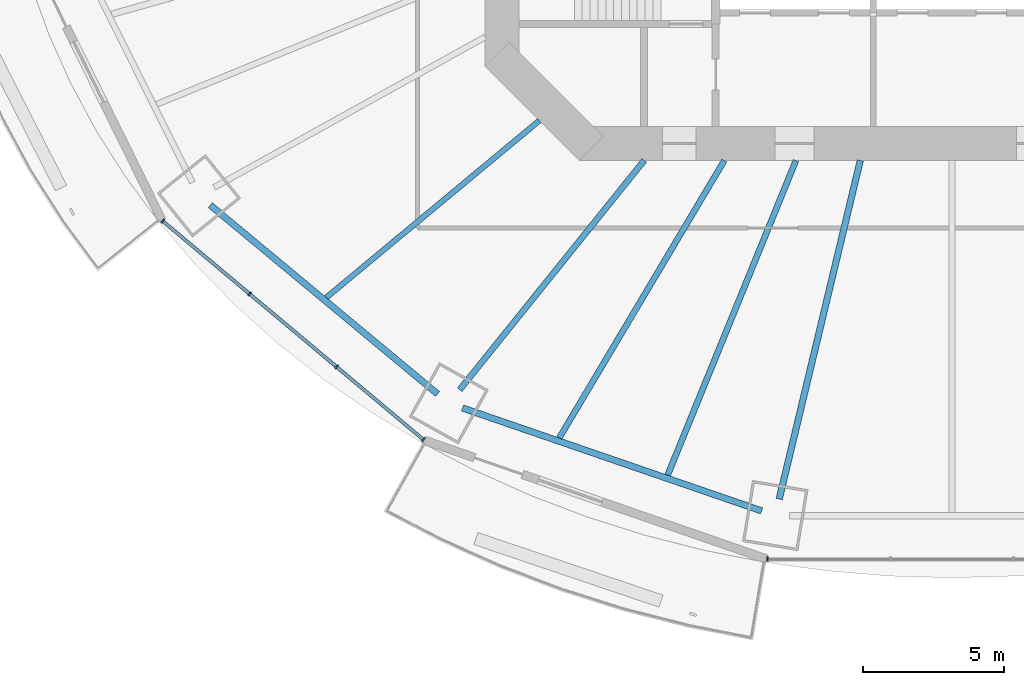
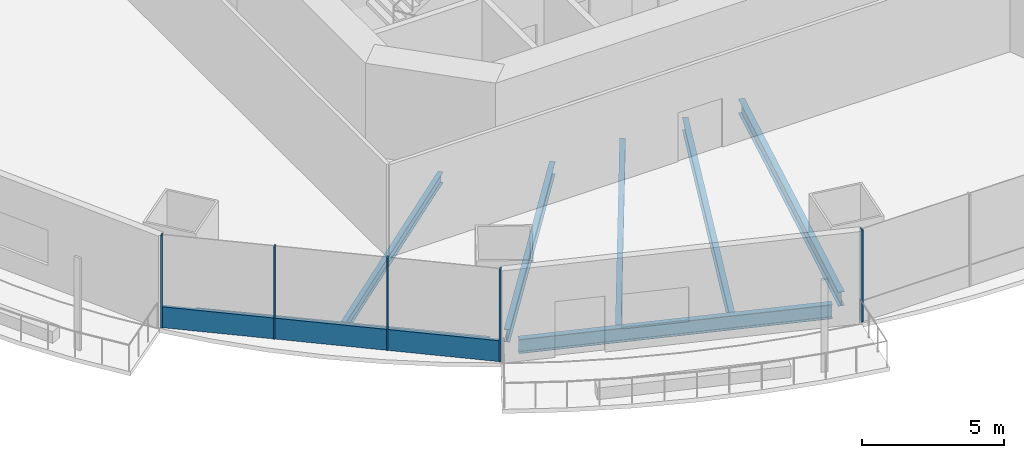
# One storey, part 2 of 21: 7 beams, 6 members, 2 elements without a shape of their own.
"""IFC4 building model written with IfcOpenShell, lengths in metres."""

import ifcopenshell
import ifcopenshell.guid

model = None  # the IFC model being written
_history = None  # IfcOwnerHistory: only IFC2X3 demands one
_inside = {}  # id of a spatial element -> (the spatial element, [elements in it])
_under = {}  # id of a project, library or spatial element -> (it, [spatial elements below it])
_declared = {}  # id of a project -> (the project, [libraries it declares])
_typed = {}  # id of a type object -> (the type object, [elements of that type])
_made_of = {}  # id of a material, layer set ... -> (it, [elements and type objects made of it])


def new_model(schema):
    """Start an empty IFC model of exactly this schema.

    Asked for "IFC4X3", IfcOpenShell would pick the latest addendum, in which some entities
    have other attributes; the version numbers below select the first issue.
    IFC2X3 requires an IfcOwnerHistory on every rooted entity: one is made here for all.
    """
    global model, _history
    if schema == "IFC4X3":
        model = ifcopenshell.file(schema_version=(4, 3, 0, 0))
    else:
        model = ifcopenshell.file(schema=schema)
    _inside.clear()
    _under.clear()
    _declared.clear()
    _typed.clear()
    _made_of.clear()
    _history = None
    if model.schema == "IFC2X3":
        org = make("IfcOrganization", Name="unknown")
        user = make(
            "IfcPersonAndOrganization",
            ThePerson=make("IfcPerson", FamilyName="unknown"),
            TheOrganization=org,
        )
        app = make(
            "IfcApplication",
            ApplicationDeveloper=org,
            Version="unknown",
            ApplicationFullName="unknown",
            ApplicationIdentifier="unknown",
        )
        _history = make(
            "IfcOwnerHistory",
            OwningUser=user,
            OwningApplication=app,
            ChangeAction="ADDED",
            CreationDate=0,
        )
    return model


def make(cls, **values):
    """One entity of the class cls with the attributes given. An attribute that is None is left unset."""
    return model.create_entity(
        cls, **{name: value for name, value in values.items() if value is not None}
    )


def rooted(cls, **values):
    """An entity with a GlobalId (a new one), such as an element, a storey or a relation."""
    return make(cls, GlobalId=ifcopenshell.guid.new(), OwnerHistory=_history, **values)


def si_unit(unit_type, name, prefix=None):
    """IfcSIUnit, for example si_unit("LENGTHUNIT", "METRE", prefix="MILLI")."""
    return make("IfcSIUnit", UnitType=unit_type, Prefix=prefix, Name=name)


def assignment(units):
    """IfcUnitAssignment: the units of a project."""
    return None if units is None else make("IfcUnitAssignment", Units=units)


def point(xyz):
    """IfcCartesianPoint."""
    return None if xyz is None else make("IfcCartesianPoint", Coordinates=xyz)


def direction(xyz):
    """IfcDirection."""
    return None if xyz is None else make("IfcDirection", DirectionRatios=xyz)


def frame(location, z_axis=None, x_axis=None):
    """IfcAxis2Placement3D, a coordinate frame: its origin and axes. An axis left out is left unset."""
    return make(
        "IfcAxis2Placement3D",
        Location=point(location),
        Axis=direction(z_axis),
        RefDirection=direction(x_axis),
    )


def frame_2d(location, x_axis=None):
    """IfcAxis2Placement2D, a coordinate frame in the plane: its origin and x axis."""
    return make(
        "IfcAxis2Placement2D", Location=point(location), RefDirection=direction(x_axis)
    )


def origin():
    """The frame at (0, 0, 0) with its axes left unset."""
    return frame((0.0, 0.0, 0.0))


def origin_2d():
    """The frame at (0, 0) in the plane with its x axis left unset."""
    return frame_2d((0.0, 0.0))


def place(relative_to, where):
    """IfcLocalPlacement: puts the frame where relative to a parent placement (None: the world)."""
    return make(
        "IfcLocalPlacement", PlacementRelTo=relative_to, RelativePlacement=where
    )


def context(
    kind, dimensions, precision=None, world=None, true_north=None, identifier=None
):
    """IfcGeometricRepresentationContext, for example the 3D "Model" context."""
    return make(
        "IfcGeometricRepresentationContext",
        ContextIdentifier=identifier,
        ContextType=kind,
        CoordinateSpaceDimension=dimensions,
        Precision=precision,
        WorldCoordinateSystem=world,
        TrueNorth=true_north,
    )


def subcontext(parent, identifier, kind, view, scale=None):
    """IfcGeometricRepresentationSubContext, for example "Body" below "Model"."""
    return make(
        "IfcGeometricRepresentationSubContext",
        ContextIdentifier=identifier,
        ContextType=kind,
        ParentContext=parent,
        TargetScale=scale,
        TargetView=view,
    )


def project(units=None, contexts=None):
    """IfcProject with its units and contexts."""
    return rooted(
        "IfcProject",
        Name="project",
        RepresentationContexts=contexts,
        UnitsInContext=assignment(units),
    )


def spatial(cls, under=None, at=None, **own):
    """A site, building, storey or space (cls), placed at a placement, below another one or the project."""
    s = rooted(cls, ObjectPlacement=at, **own)
    if under is not None:
        _under.setdefault(under.id(), (under, []))[1].append(s)
    return s


def profile(cls, at=None, kind="AREA", **sizes):
    """A parametric profile (cls). Its sizes go by their IFC names, for example OverallWidth=200.0."""
    return make(cls, ProfileType=kind, Position=at, **sizes)


def rectangle(**sizes):
    """IfcRectangleProfileDef."""
    return profile("IfcRectangleProfileDef", **sizes)


def i_section(**sizes):
    """IfcIShapeProfileDef."""
    return profile("IfcIShapeProfileDef", **sizes)


def extrude(swept, where, along, depth):
    """IfcExtrudedAreaSolid: the profile swept, set in the frame where, extruded along a direction by depth."""
    return make(
        "IfcExtrudedAreaSolid",
        SweptArea=swept,
        Position=where,
        ExtrudedDirection=direction(along),
        Depth=depth,
    )


def shape(context_of_items, identifier, shape_type, items):
    """IfcShapeRepresentation: the items that make up one representation, for example the "Body"."""
    return make(
        "IfcShapeRepresentation",
        ContextOfItems=context_of_items,
        RepresentationIdentifier=identifier,
        RepresentationType=shape_type,
        Items=items,
    )


def material(Name=None, Category=None):
    """IfcMaterial."""
    return make("IfcMaterial", Name=Name, Category=Category)


def material_profile(
    of_material, cross_section, Name=None, Category=None, Priority=None
):
    """IfcMaterialProfile: a cross section and its material."""
    return make(
        "IfcMaterialProfile",
        Name=Name,
        Material=of_material,
        Profile=cross_section,
        Priority=Priority,
        Category=Category,
    )


def profile_set(profiles, Name=None, composite=None):
    """IfcMaterialProfileSet."""
    return make(
        "IfcMaterialProfileSet",
        Name=Name,
        MaterialProfiles=profiles,
        CompositeProfile=composite,
    )


def made_of(thing, what):
    """Note that an element or type object is made of a material, layer set ...; save() writes the relation."""
    if what is not None:
        _made_of.setdefault(what.id(), (what, []))[1].append(thing)
    return thing


def type_object(cls, material=None, **own):
    """A type object (cls), such as IfcWallType, which elements share."""
    return made_of(rooted(cls, **own), material)


def element(
    cls,
    number,
    at=None,
    inside=None,
    cuts=None,
    type_object=None,
    material=None,
    context=None,
    identifier="Body",
    shape_type=None,
    held_by="IfcProductDefinitionShape",
    body=None,
    shapes=None,
    **own,
):
    """One element of the class cls, such as IfcWall. Its Tag is "e" and its number.

    at: its placement. inside: the storey or other place that contains it. cuts: it is an
    opening in that element (IfcRelVoidsElement). A single representation is given by context,
    identifier, shape_type and body (its items); several are given by shapes. held_by: the class
    of the entity that holds the representations. save() writes the other relations.
    """
    e = rooted(cls, Tag="e%d" % number, ObjectPlacement=at, **own)
    if body is not None:
        shapes = [shape(context, identifier, shape_type, body)]
    if shapes is not None:
        e.Representation = make(held_by, Representations=shapes)
    if inside is not None:
        _inside.setdefault(inside.id(), (inside, []))[1].append(e)
    if cuts is not None:
        rooted(
            "IfcRelVoidsElement", RelatingBuildingElement=cuts, RelatedOpeningElement=e
        )
    if type_object is not None:
        _typed.setdefault(type_object.id(), (type_object, []))[1].append(e)
    return made_of(e, material)


def aggregate(whole, parts):
    """IfcRelAggregates: a whole, such as a stair, and the parts it consists of."""
    return rooted("IfcRelAggregates", RelatingObject=whole, RelatedObjects=parts)


def save(model, path):
    """Write the relations noted so far, then the file.

    IfcRelAggregates (storeys below a building ...), IfcRelContainedInSpatialStructure (elements
    in a storey), IfcRelDefinesByType, IfcRelAssociatesMaterial and IfcRelDeclares: one each for
    every whole, place, type object, material and project.
    """
    for whole, parts in _under.values():
        aggregate(whole, parts)
    for where, things in _inside.values():
        rooted(
            "IfcRelContainedInSpatialStructure",
            RelatedElements=things,
            RelatingStructure=where,
        )
    for kind, things in _typed.values():
        rooted("IfcRelDefinesByType", RelatedObjects=things, RelatingType=kind)
    for what, things in _made_of.values():
        rooted("IfcRelAssociatesMaterial", RelatedObjects=things, RelatingMaterial=what)
    for by, libraries in _declared.values():
        rooted("IfcRelDeclares", RelatingContext=by, RelatedDefinitions=libraries)
    model.write(path)


model = new_model("IFC4")

# Units and contexts
model_context = context("Model", 3, precision=1e-05, world=origin(), true_north=direction((0.0, 1.0)))
body_context = subcontext(model_context, "Body", "Model", "MODEL_VIEW")
ifc_project = project(units=[si_unit("LENGTHUNIT", "METRE"), si_unit("AREAUNIT", "SQUARE_METRE"), si_unit("VOLUMEUNIT", "CUBIC_METRE"), si_unit("PLANEANGLEUNIT", "RADIAN"), si_unit("MASSUNIT", "GRAM", prefix="KILO")], contexts=[model_context])

# Site, building, storey
site_placement = place(None, origin())
site = spatial("IfcSite", under=ifc_project, at=site_placement, CompositionType="ELEMENT")
building_placement = place(site_placement, origin())
building = spatial("IfcBuilding", under=site, at=building_placement, Name="Marenthal Gate Tower", CompositionType="ELEMENT")
storey_placement = place(building_placement, frame((0.0, 0.0, 124.300048828125)))
storey = spatial("IfcBuildingStorey", under=building, at=storey_placement, Name="L26", CompositionType="ELEMENT", Elevation=124.300048828125)

# Curtain wall, members
ifc_material_1 = material(Name="Aluminium and glass", Category="aluminium")
curtain_wall_type = type_object("IfcCurtainWallType", Name="Curtain wall typical low", PredefinedType="NOTDEFINED", material=ifc_material_1)
curtain_wall_1_placement = place(storey_placement, origin())
curtain_wall_1 = element("IfcCurtainWall", 1, at=curtain_wall_1_placement, inside=storey, type_object=curtain_wall_type, Name="Curtain wall L26 bay 10", PredefinedType="NOTDEFINED")
ifc_material_2 = material(Name="Aluminium", Category="aluminium")
ifc_material_profile_1 = material_profile(ifc_material_2, rectangle(XDim=0.159912109375, YDim=0.06005859375, at=origin_2d()), Name="60x160 aluminium mullion")
ifc_profile_set_1 = profile_set([ifc_material_profile_1], Name="Aluminium")
member_type_1 = type_object("IfcMemberType", Name="Mullion 60x160 typical low", PredefinedType="MULLION", material=ifc_profile_set_1)
member_1_placement = place(storey_placement, frame((-28.0673828125, -15.754150390625, 0.0), z_axis=(0.0, 0.0, 1.0), x_axis=(0.642437868504, 0.766337774817, 0.0)))
member_1 = element("IfcMember", 2, at=member_1_placement, type_object=member_type_1, Name="Mullion L26 bay 10.1", PredefinedType="MULLION", context=body_context, shape_type="SweptSolid", body=[
    extrude(rectangle(XDim=0.159912109375, YDim=0.06005859375, at=origin_2d()), origin(), (0.0, 0.0, 1.0), 3.969970703125),
])
member_2_placement = place(storey_placement, frame((-24.975830078125, -18.345947265625, 0.0), z_axis=(0.0, 0.0, 1.0), x_axis=(0.642437868504, 0.766337774817, 0.0)))
member_2 = element("IfcMember", 3, at=member_2_placement, type_object=member_type_1, Name="Mullion L26 bay 10.2", PredefinedType="MULLION", context=body_context, shape_type="SweptSolid", body=[
    extrude(rectangle(XDim=0.159912109375, YDim=0.06005859375, at=origin_2d()), origin(), (0.0, 0.0, 1.0), 3.969970703125),
])
member_3_placement = place(storey_placement, frame((-21.884033203125, -20.937744140625, 0.0), z_axis=(0.0, 0.0, 1.0), x_axis=(0.642437868504, 0.766337774817, 0.0)))
member_3 = element("IfcMember", 4, at=member_3_placement, type_object=member_type_1, Name="Mullion L26 bay 10.3", PredefinedType="MULLION", context=body_context, shape_type="SweptSolid", body=[
    extrude(rectangle(XDim=0.159912109375, YDim=0.06005859375, at=origin_2d()), origin(), (0.0, 0.0, 1.0), 3.969970703125),
])
member_4_placement = place(storey_placement, frame((-18.79248046875, -23.529541015625, 0.0), z_axis=(0.0, 0.0, 1.0), x_axis=(0.642437868504, 0.766337774817, 0.0)))
member_4 = element("IfcMember", 5, at=member_4_placement, type_object=member_type_1, Name="Mullion L26 bay 10.4", PredefinedType="MULLION", context=body_context, shape_type="SweptSolid", body=[
    extrude(rectangle(XDim=0.159912109375, YDim=0.06005859375, at=origin_2d()), origin(), (0.0, 0.0, 1.0), 3.969970703125),
])

# Curtain wall, member
curtain_wall_2_placement = place(storey_placement, origin())
curtain_wall_2 = element("IfcCurtainWall", 6, at=curtain_wall_2_placement, inside=storey, type_object=curtain_wall_type, Name="Curtain wall L26 bay 12", PredefinedType="NOTDEFINED")
member_5_placement = place(storey_placement, frame((-6.560791015625, -27.77783203125, 0.0), z_axis=(0.0, 0.0, 1.0), x_axis=(0.0, 1.0, 0.0)))
member_5 = element("IfcMember", 7, at=member_5_placement, type_object=member_type_1, Name="Mullion L26 bay 12.1", PredefinedType="MULLION", context=body_context, shape_type="SweptSolid", body=[
    extrude(rectangle(XDim=0.159912109375, YDim=0.06005859375, at=origin_2d()), origin(), (0.0, 0.0, 1.0), 3.969970703125),
])
aggregate(curtain_wall_2, [member_5])

# Member
ifc_material_3 = material(Name="Aluminium", Category="aluminium")
ifc_material_profile_2 = material_profile(ifc_material_3, rectangle(XDim=0.1201171875, YDim=0.89990234375, at=origin_2d()), Name="120x900 aluminium transom")
ifc_profile_set_2 = profile_set([ifc_material_profile_2], Name="Aluminium")
member_type_2 = type_object("IfcMemberType", Name="Transom 120x900 typical low", PredefinedType="USERDEFINED", material=ifc_profile_set_2)
member_6_placement = place(storey_placement, frame((-28.04443359375, -15.7734375, 0.449951171875), z_axis=(0.766340278264, -0.642434882233, 0.0), x_axis=(0.642434882233, 0.766340278264, 0.0)))
member_6 = element("IfcMember", 8, at=member_6_placement, type_object=member_type_2, Name="Transom L26 bay 10", ObjectType="TRANSOM", PredefinedType="USERDEFINED", context=body_context, shape_type="SweptSolid", body=[
    extrude(rectangle(XDim=0.1201171875, YDim=0.89990234375, at=origin_2d()), origin(), (0.0, 0.0, 1.0), 12.04296875),
])

aggregate(curtain_wall_1, [member_1, member_2, member_3, member_4, member_6])

# Beams
ifc_material_4 = material(Name="Steel S355", Category="steel")
ifc_material_profile_3 = material_profile(ifc_material_4, i_section(OverallWidth=0.193115234375, OverallDepth=0.467041015625, WebThickness=0.011474609375, FlangeThickness=0.01904296875, FilletRadius=0.010009765625, at=origin_2d()), Name="W460X97")
ifc_profile_set_3 = profile_set([ifc_material_profile_3], Name="Steel S355")
beam_type_1 = type_object("IfcBeamType", Name="W460X97 beam", PredefinedType="BEAM", material=ifc_profile_set_3)
beam_1_placement = place(storey_placement, frame((-22.244384765625, -18.4716796875, -0.41357421875), z_axis=(0.7693296468, 0.638852013031, 0.0), x_axis=(-0.638852013031, 0.7693296468, 0.0)))
element("IfcBeam", 9, at=beam_1_placement, inside=storey, type_object=beam_type_1, Name="BM-L26-31", PredefinedType="BEAM", context=body_context, shape_type="SweptSolid", body=[
    extrude(i_section(OverallWidth=0.193115234375, OverallDepth=0.467041015625, WebThickness=0.011474609375, FlangeThickness=0.01904296875, FilletRadius=0.010009765625, at=origin_2d()), origin(), (0.0, 0.0, 1.0), 9.84765625),
])
ifc_material_5 = material(Name="Steel S355", Category="steel")
ifc_material_profile_4 = material_profile(ifc_material_5, i_section(OverallWidth=0.2099609375, OverallDepth=0.535888671875, WebThickness=0.010986328125, FlangeThickness=0.017333984375, FilletRadius=0.0126953125, at=origin_2d()), Name="W530X101")
ifc_profile_set_4 = profile_set([ifc_material_profile_4], Name="Steel S355")
beam_type_2 = type_object("IfcBeamType", Name="W530X101 beam", PredefinedType="BEAM", material=ifc_profile_set_4)
beam_2_placement = place(storey_placement, frame((-13.962158203125, -23.4658203125, -0.447998046875), z_axis=(0.51133355271, 0.859382335095, 0.0), x_axis=(-0.859382335095, 0.51133355271, 0.0)))
element("IfcBeam", 10, at=beam_2_placement, inside=storey, type_object=beam_type_2, Name="BM-L26-32", PredefinedType="BEAM", context=body_context, shape_type="SweptSolid", body=[
    extrude(i_section(OverallWidth=0.2099609375, OverallDepth=0.535888671875, WebThickness=0.010986328125, FlangeThickness=0.017333984375, FilletRadius=0.0126953125, at=origin_2d()), origin(), (0.0, 0.0, 1.0), 11.47998046875),
])
ifc_material_6 = material(Name="Steel S355", Category="steel")
ifc_material_profile_5 = material_profile(ifc_material_6, i_section(OverallWidth=0.2119140625, OverallDepth=0.5439453125, WebThickness=0.01318359375, FlangeThickness=0.021240234375, FilletRadius=0.0126953125, at=origin_2d()), Name="W530X123")
ifc_profile_set_5 = profile_set([ifc_material_profile_5], Name="Steel S355")
beam_type_3 = type_object("IfcBeamType", Name="W530X123 beam", PredefinedType="BEAM", material=ifc_profile_set_5)
beam_3_placement = place(storey_placement, frame((-17.505126953125, -21.755126953125, -0.4521484375), z_axis=(0.626891327439, 0.779106708726, 0.0), x_axis=(-0.779106708726, 0.626891327439, 0.0)))
element("IfcBeam", 11, at=beam_3_placement, inside=storey, type_object=beam_type_3, Name="BM-L26-11", PredefinedType="BEAM", context=body_context, shape_type="SweptSolid", body=[
    extrude(i_section(OverallWidth=0.2119140625, OverallDepth=0.5439453125, WebThickness=0.01318359375, FlangeThickness=0.021240234375, FilletRadius=0.0126953125, at=origin_2d()), origin(), (0.0, 0.0, 1.0), 10.467041015625),
])
beam_4_placement = place(storey_placement, frame((-10.10888671875, -24.791015625, -0.4521484375), z_axis=(0.377578568114, 0.92597755097, 0.0), x_axis=(-0.92597755097, 0.377578568114, 0.0)))
element("IfcBeam", 12, at=beam_4_placement, inside=storey, type_object=beam_type_3, Name="BM-L26-33", PredefinedType="BEAM", context=body_context, shape_type="SweptSolid", body=[
    extrude(i_section(OverallWidth=0.2119140625, OverallDepth=0.5439453125, WebThickness=0.01318359375, FlangeThickness=0.021240234375, FilletRadius=0.0126953125, at=origin_2d()), origin(), (0.0, 0.0, 1.0), 12.08544921875),
])
ifc_material_7 = material(Name="Steel S355", Category="steel")
ifc_material_profile_6 = material_profile(ifc_material_7, i_section(OverallWidth=0.22900390625, OverallDepth=0.612060546875, WebThickness=0.011962890625, FlangeThickness=0.01953125, FilletRadius=0.0126953125, at=origin_2d()), Name="W610X125")
ifc_profile_set_6 = profile_set([ifc_material_profile_6], Name="Steel S355")
beam_type_4 = type_object("IfcBeamType", Name="W610X125 beam", PredefinedType="BEAM", material=ifc_profile_set_6)
beam_5_placement = place(storey_placement, frame((-6.142333984375, -25.641845703125, -0.486083984375), z_axis=(0.232953092767, 0.972487972455, 0.0), x_axis=(-0.972487972455, 0.232953092767, 0.0)))
element("IfcBeam", 13, at=beam_5_placement, inside=storey, type_object=beam_type_4, Name="BM-L26-12", PredefinedType="BEAM", context=body_context, shape_type="SweptSolid", body=[
    extrude(i_section(OverallWidth=0.22900390625, OverallDepth=0.612060546875, WebThickness=0.011962890625, FlangeThickness=0.01953125, FilletRadius=0.0126953125, at=origin_2d()), origin(), (0.0, 0.0, 1.0), 12.38232421875),
])
beam_6_placement = place(storey_placement, frame((-26.376220703125, -15.189697265625, -0.486083984375), z_axis=(0.769335786628, -0.638844619148, 0.0), x_axis=(0.638844619148, 0.769335786628, 0.0)))
element("IfcBeam", 14, at=beam_6_placement, inside=storey, type_object=beam_type_4, Name="BM-L26-50", PredefinedType="BEAM", context=body_context, shape_type="SweptSolid", body=[
    extrude(i_section(OverallWidth=0.22900390625, OverallDepth=0.612060546875, WebThickness=0.011962890625, FlangeThickness=0.01953125, FilletRadius=0.0126953125, at=origin_2d()), origin(), (0.0, 0.0, 1.0), 10.510986328125),
])
beam_7_placement = place(storey_placement, frame((-17.404052734375, -22.40283203125, -0.486083984375), z_axis=(0.945627146872, -0.325252669626, 0.0), x_axis=(0.325252669626, 0.945627146872, 0.0)))
element("IfcBeam", 15, at=beam_7_placement, inside=storey, type_object=beam_type_4, Name="BM-L26-51", PredefinedType="BEAM", context=body_context, shape_type="SweptSolid", body=[
    extrude(i_section(OverallWidth=0.22900390625, OverallDepth=0.612060546875, WebThickness=0.011962890625, FlangeThickness=0.01953125, FilletRadius=0.0126953125, at=origin_2d()), origin(), (0.0, 0.0, 1.0), 11.24658203125),
])

save(model, "model.ifc")
